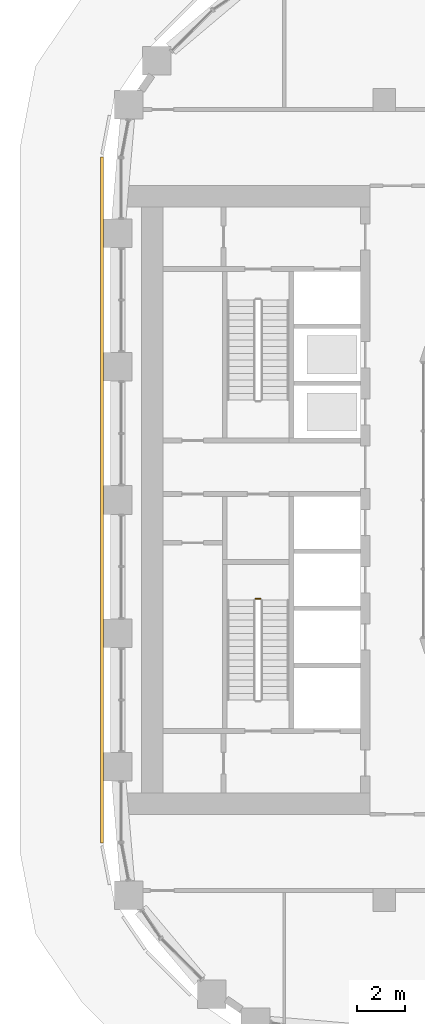
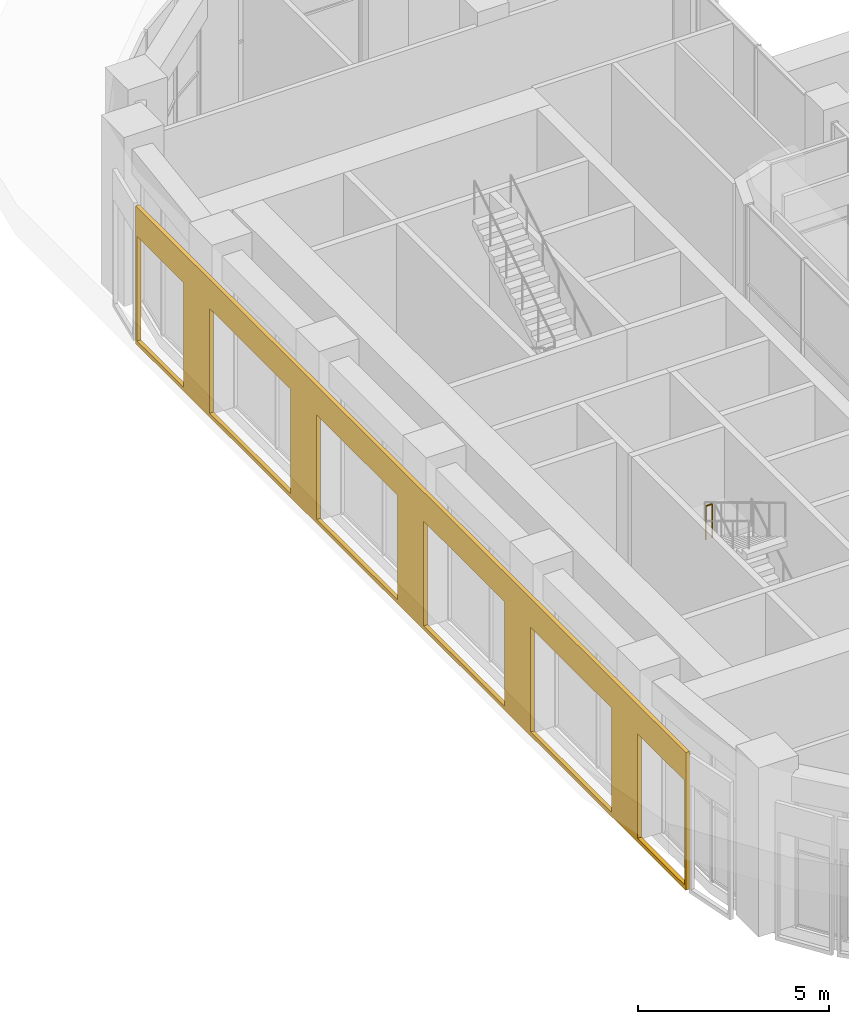
# One storey, part 21 of 28: 1 covering, 1 railing.
"""IFC4 building model written with IfcOpenShell, lengths in metres."""

from ifc_helpers import new_model, si_unit, direction, frame, origin, origin_2d, place, context, subcontext, project, spatial, polyline, circle, outline, extrude, material, layer, layer_set, type_object, element, save


model = new_model("IFC4")

# Units and contexts
model_context = context("Model", 3, precision=1e-05, world=origin(), true_north=direction((0.0, 1.0)))
body_context = subcontext(model_context, "Body", "Model", "MODEL_VIEW")
ifc_project = project(units=[si_unit("LENGTHUNIT", "METRE"), si_unit("AREAUNIT", "SQUARE_METRE"), si_unit("VOLUMEUNIT", "CUBIC_METRE"), si_unit("PLANEANGLEUNIT", "RADIAN"), si_unit("MASSUNIT", "GRAM", prefix="KILO")], contexts=[model_context])

# Site, building, storey
site_placement = place(None, origin())
site = spatial("IfcSite", under=ifc_project, at=site_placement, CompositionType="ELEMENT")
building_placement = place(site_placement, origin())
building = spatial("IfcBuilding", under=site, at=building_placement, Name="Kiln Ring Residences", CompositionType="ELEMENT")
storey_placement = place(building_placement, frame((0.0, 0.0, 125.300048828125)))
storey = spatial("IfcBuildingStorey", under=building, at=storey_placement, Name="L32", CompositionType="ELEMENT", Elevation=125.300048828125)

# Railing
ifc_material_1 = material(Name="Stainless steel", Category="steel")
railing_type = type_object("IfcRailingType", Name="CORE-STAIR-GUARD", PredefinedType="GUARDRAIL", material=ifc_material_1)
railing_placement = place(storey_placement, frame((-22.0, -4.14990234375, 2.699951171875)))
element("IfcRailing", 1, at=railing_placement, inside=storey, type_object=railing_type, Name="L32 W-STS stair guard 2", PredefinedType="GUARDRAIL", context=body_context, shape_type="SweptSolid", body=[
    extrude(circle(Radius=0.02392578125, at=origin_2d()), frame((0.0, 0.0, 1.076171875), z_axis=(-1.0, 0.0, 0.0), x_axis=(0.0, -1.0, 0.0)), (0.0, 0.0, 1.0), 0.199951171875),
    extrude(circle(Radius=0.02099609375, at=origin_2d()), origin(), (0.0, 0.0, 1.0), 1.052001953125),
    extrude(circle(Radius=0.02099609375, at=origin_2d()), frame((-0.199951171875, 0.0, 0.0)), (0.0, 0.0, 1.0), 1.052001953125),
])

# Covering
ifc_material_2 = material(Name="Brick masonry, dark clay brick", Category="masonry")
ifc_layer = layer(ifc_material_2, 0.1201171875)
ifc_layer_set = layer_set([ifc_layer], Name="RAINSCREEN PANEL 120")
covering_type = type_object("IfcCoveringType", Name="RAINSCREEN PANEL 120", PredefinedType="CLADDING", material=ifc_layer_set)
covering_placement = place(storey_placement, frame((-28.659912109375, 14.39990234375, 0.0), z_axis=(0.0, 0.0, 1.0), x_axis=(0.0, -1.0, 0.0)))
element("IfcCovering", 2, at=covering_placement, inside=storey, type_object=covering_type, Name="RAINSCREEN L32", PredefinedType="CLADDING", context=body_context, shape_type="SweptSolid", body=[
    extrude(outline(polyline([(0.0, 0.0), (28.800048828125, 0.0), (28.800048828125, 4.39990234375), (0.0, 4.39990234375), (0.0, 0.0)]), holes=[polyline([(2.52001953125, 0.1298828125), (2.52001953125, 3.469970703125), (0.080078125, 3.469970703125), (0.080078125, 0.1298828125), (2.52001953125, 0.1298828125)]), polyline([(3.8798828125, 0.1298828125), (8.1201171875, 0.1298828125), (8.1201171875, 3.469970703125), (3.8798828125, 3.469970703125), (3.8798828125, 0.1298828125)]), polyline([(9.47998046875, 0.1298828125), (13.719970703125, 0.1298828125), (13.719970703125, 3.469970703125), (9.47998046875, 3.469970703125), (9.47998046875, 0.1298828125)]), polyline([(19.320068359375, 0.1298828125), (19.320068359375, 3.469970703125), (15.080078125, 3.469970703125), (15.080078125, 0.1298828125), (19.320068359375, 0.1298828125)]), polyline([(20.679931640625, 0.1298828125), (24.919921875, 0.1298828125), (24.919921875, 3.469970703125), (20.679931640625, 3.469970703125), (20.679931640625, 0.1298828125)]), polyline([(26.280029296875, 0.1298828125), (28.719970703125, 0.1298828125), (28.719970703125, 3.469970703125), (26.280029296875, 3.469970703125), (26.280029296875, 0.1298828125)])]), frame((0.0, 0.06005859375, 0.0), z_axis=(0.0, -1.0, 0.0), x_axis=(1.0, 0.0, 0.0)), (0.0, 0.0, 1.0), 0.1201171875),
])

save(model, "model.ifc")
